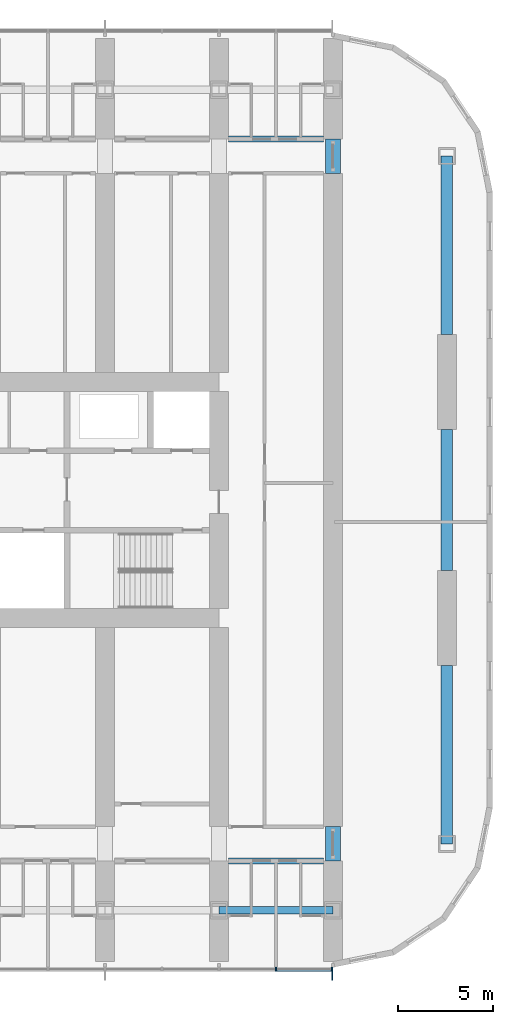
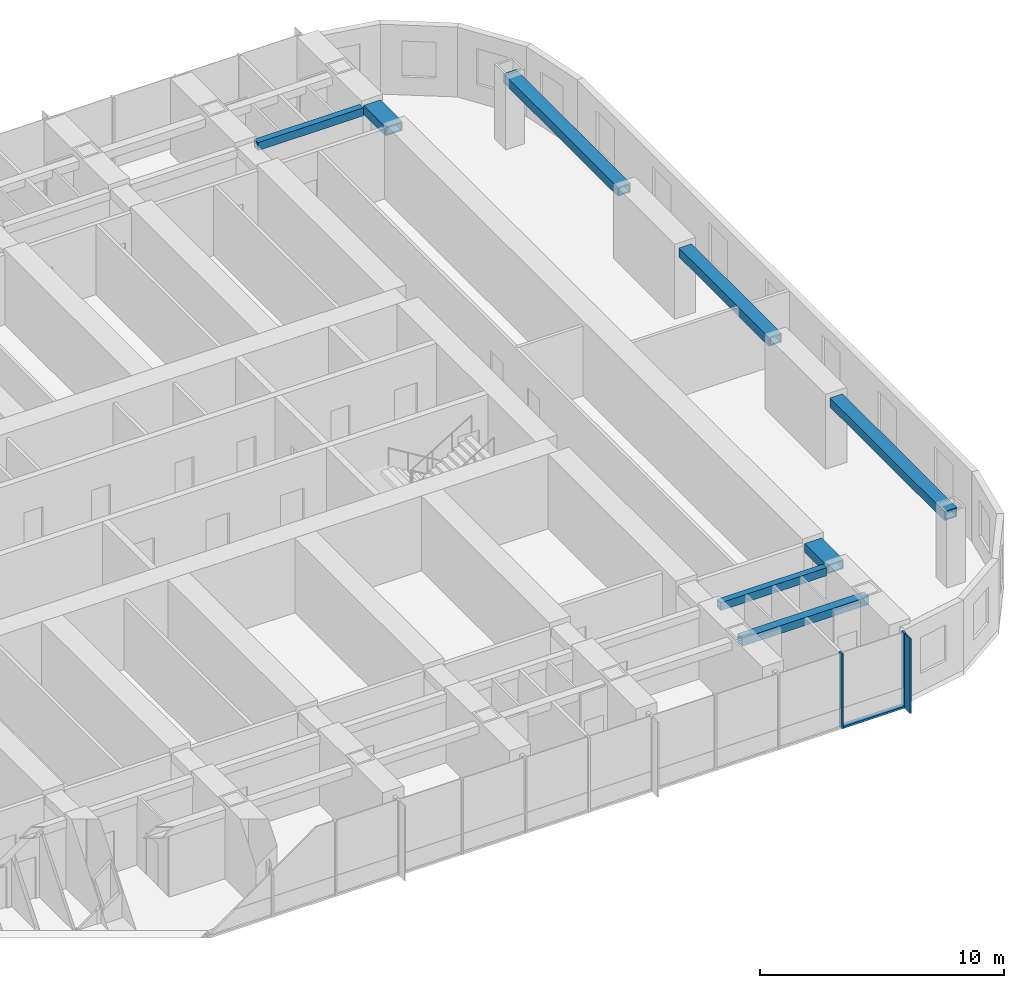
# One storey, part 6 of 23: 8 beams, 4 members, 1 element without a shape of its own.
"""IFC4 building model written with IfcOpenShell, lengths in metres."""

from ifc_helpers import new_model, si_unit, direction, frame, origin, origin_2d, place, context, subcontext, project, spatial, rectangle, hollow_rectangle, extrude, material, material_profile, profile_set, type_object, element, aggregate, save


model = new_model("IFC4")

# Units and contexts
model_context = context("Model", 3, precision=1e-05, world=origin(), true_north=direction((0.0, 1.0)))
body_context = subcontext(model_context, "Body", "Model", "MODEL_VIEW")
ifc_project = project(units=[si_unit("LENGTHUNIT", "METRE"), si_unit("AREAUNIT", "SQUARE_METRE"), si_unit("VOLUMEUNIT", "CUBIC_METRE"), si_unit("PLANEANGLEUNIT", "RADIAN"), si_unit("MASSUNIT", "GRAM", prefix="KILO")], contexts=[model_context])

# Site, building, storey
site_placement = place(None, origin())
site = spatial("IfcSite", under=ifc_project, at=site_placement, CompositionType="ELEMENT")
building_placement = place(site_placement, origin())
building = spatial("IfcBuilding", under=site, at=building_placement, Name="Orbita Commons", CompositionType="ELEMENT")
storey_placement = place(building_placement, frame((0.0, 0.0, 46.449951171875)))
storey = spatial("IfcBuildingStorey", under=building, at=storey_placement, Name="L11", CompositionType="ELEMENT", Elevation=46.449951171875)

# Curtain wall, members
ifc_material_1 = material(Name="Anodised aluminium frame, pale silver", Category="aluminium")
curtain_wall_type = type_object("IfcCurtainWallType", Name="Unitised curtain wall CW-T, vision and spandrel", PredefinedType="NOTDEFINED", material=ifc_material_1)
curtain_wall_placement = place(storey_placement, origin())
curtain_wall = element("IfcCurtainWall", 1, at=curtain_wall_placement, inside=storey, type_object=curtain_wall_type, Name="Curtain wall south L11", PredefinedType="NOTDEFINED")
ifc_material_2 = material(Name="Anodised aluminium, pale silver", Category="aluminium")
ifc_material_profile_1 = material_profile(ifc_material_2, rectangle(XDim=0.080078125, YDim=0.219970703125, at=origin_2d()), Name="AL 80x220")
ifc_profile_set_1 = profile_set([ifc_material_profile_1], Name="Anodised aluminium, pale silver")
member_type_1 = type_object("IfcMemberType", Name="Curtain wall mullion 80x220", PredefinedType="MULLION", material=ifc_profile_set_1)
member_1_placement = place(storey_placement, frame((69.0, 7.2900390625, -0.25), z_axis=(0.0, 0.0, 1.0), x_axis=(1.0, 0.0, 0.0)))
member_1 = element("IfcMember", 2, at=member_1_placement, type_object=member_type_1, Name="Mullion 20 CW-L11-S", PredefinedType="MULLION", context=body_context, shape_type="SweptSolid", body=[
    extrude(rectangle(XDim=0.080078125, YDim=0.219970703125, at=origin_2d()), origin(), (0.0, 0.0, 1.0), 3.75),
])
member_2_placement = place(storey_placement, frame((71.9599609375, 7.2900390625, -0.25), z_axis=(0.0, 0.0, 1.0), x_axis=(1.0, 0.0, 0.0)))
member_2 = element("IfcMember", 3, at=member_2_placement, type_object=member_type_1, Name="Mullion 21 CW-L11-S", PredefinedType="MULLION", context=body_context, shape_type="SweptSolid", body=[
    extrude(rectangle(XDim=0.080078125, YDim=0.219970703125, at=origin_2d()), origin(), (0.0, 0.0, 1.0), 3.75),
])
ifc_material_3 = material(Name="Anodised aluminium, pale silver", Category="aluminium")
ifc_material_profile_2 = material_profile(ifc_material_3, rectangle(XDim=0.219970703125, YDim=0.10009765625, at=origin_2d()), Name="AL 220x100")
ifc_profile_set_2 = profile_set([ifc_material_profile_2], Name="Anodised aluminium, pale silver")
member_type_2 = type_object("IfcMemberType", Name="Curtain wall stack transom 220x100", PredefinedType="USERDEFINED", material=ifc_profile_set_2)
member_3_placement = place(storey_placement, frame((69.0400390625, 7.2900390625, -0.199951171875), z_axis=(1.0, 0.0, 0.0), x_axis=(0.0, 1.0, 0.0)))
member_3 = element("IfcMember", 4, at=member_3_placement, type_object=member_type_2, Name="Transom 20.1 CW-L11-S", ObjectType="TRANSOM", PredefinedType="USERDEFINED", context=body_context, shape_type="SweptSolid", body=[
    extrude(rectangle(XDim=0.219970703125, YDim=0.10009765625, at=origin_2d()), origin(), (0.0, 0.0, 1.0), 2.8798828125),
])

# Beams
ifc_material_4 = material(Name="Steel ASTM A572 Gr 50 welded plate", Category="steel")
ifc_material_profile_3 = material_profile(ifc_material_4, hollow_rectangle(XDim=0.300048828125, YDim=0.39990234375, WallThickness=0.0400390625, at=origin_2d()), Name="BOX 400x300x40")
ifc_profile_set_3 = profile_set([ifc_material_profile_3], Name="Steel ASTM A572 Gr 50 welded plate")
beam_type_1 = type_object("IfcBeamType", Name="Steel corridor link BOX 400x300x40", PredefinedType="BEAM", material=ifc_profile_set_3)
for number, where, z_axis, x_axis, name in (
    (5, (66.5, 13.0, 3.300048828125), (1.0, 0.0, 0.0), (0.0, 1.0, 0.0), "Corridor beam SA 12-13 L11"),
    (6, (66.5, 51.0, 3.300048828125), (1.0, 0.0, 0.0), (0.0, 1.0, 0.0), "Corridor beam NB 12-13 L11"),
):
    element("IfcBeam", number, at=place(storey_placement, frame(where, z_axis=z_axis, x_axis=x_axis)), inside=storey, type_object=beam_type_1, Name=name, PredefinedType="BEAM", context=body_context, shape_type="SweptSolid", body=[
        extrude(hollow_rectangle(XDim=0.300048828125, YDim=0.39990234375, WallThickness=0.0400390625, at=origin_2d()), origin(), (0.0, 0.0, 1.0), 5.0),
    ])
ifc_material_5 = material(Name="Steel ASTM A572 Gr 50 welded plate", Category="steel")
ifc_material_profile_4 = material_profile(ifc_material_5, hollow_rectangle(XDim=0.800048828125, YDim=0.449951171875, WallThickness=0.06005859375, at=origin_2d()), Name="BOX 450x800x60")
ifc_profile_set_4 = profile_set([ifc_material_profile_4], Name="Steel ASTM A572 Gr 50 welded plate")
beam_type_2 = type_object("IfcBeamType", Name="Steel coupling link BOX 450x800x60", PredefinedType="LINTEL", material=ifc_profile_set_4)
for number, where, z_axis, x_axis, name in (
    (7, (72.0, 13.0, 3.275146484375), (0.0, 1.0, 0.0), (-1.0, 0.0, 0.0), "Coupling beam 13 south L11"),
    (8, (72.0, 49.199951171875, 3.275146484375), (0.0, 1.0, 0.0), (-1.0, 0.0, 0.0), "Coupling beam 13 north L11"),
):
    element("IfcBeam", number, at=place(storey_placement, frame(where, z_axis=z_axis, x_axis=x_axis)), inside=storey, type_object=beam_type_2, Name=name, PredefinedType="LINTEL", context=body_context, shape_type="SweptSolid", body=[
        extrude(hollow_rectangle(XDim=0.800048828125, YDim=0.449951171875, WallThickness=0.06005859375, at=origin_2d()), origin(), (0.0, 0.0, 1.0), 1.800048828125),
    ])
ifc_material_6 = material(Name="Steel ASTM A572 Gr 50 welded plate", Category="steel")
ifc_material_profile_5 = material_profile(ifc_material_6, hollow_rectangle(XDim=0.60009765625, YDim=0.449951171875, WallThickness=0.06005859375, at=origin_2d()), Name="BOX 450x600x60")
ifc_profile_set_5 = profile_set([ifc_material_profile_5], Name="Steel ASTM A572 Gr 50 welded plate")
beam_type_3 = type_object("IfcBeamType", Name="Steel end frame link BOX 450x600x60", PredefinedType="BEAM", material=ifc_profile_set_5)
beam_1_placement = place(storey_placement, frame((78.0, 13.89990234375, 3.275146484375), z_axis=(0.0, 1.0, 0.0), x_axis=(-1.0, 0.0, 0.0)))
element("IfcBeam", 9, at=beam_1_placement, inside=storey, type_object=beam_type_3, Name="End frame beam 14 B-C L11", PredefinedType="BEAM", context=body_context, shape_type="SweptSolid", body=[
    extrude(hollow_rectangle(XDim=0.60009765625, YDim=0.449951171875, WallThickness=0.06005859375, at=origin_2d()), origin(), (0.0, 0.0, 1.0), 9.400146484375),
])
beam_2_placement = place(storey_placement, frame((78.0, 28.300048828125, 3.275146484375), z_axis=(0.0, 1.0, 0.0), x_axis=(-1.0, 0.0, 0.0)))
element("IfcBeam", 10, at=beam_2_placement, inside=storey, type_object=beam_type_3, Name="End frame beam 14 C-D L11", PredefinedType="BEAM", context=body_context, shape_type="SweptSolid", body=[
    extrude(hollow_rectangle(XDim=0.60009765625, YDim=0.449951171875, WallThickness=0.06005859375, at=origin_2d()), origin(), (0.0, 0.0, 1.0), 7.39990234375),
])
beam_3_placement = place(storey_placement, frame((78.0, 40.699951171875, 3.275146484375), z_axis=(0.0, 1.0, 0.0), x_axis=(-1.0, 0.0, 0.0)))
element("IfcBeam", 11, at=beam_3_placement, inside=storey, type_object=beam_type_3, Name="End frame beam 14 D-E L11", PredefinedType="BEAM", context=body_context, shape_type="SweptSolid", body=[
    extrude(hollow_rectangle(XDim=0.60009765625, YDim=0.449951171875, WallThickness=0.06005859375, at=origin_2d()), origin(), (0.0, 0.0, 1.0), 9.400146484375),
])
ifc_material_7 = material(Name="Steel ASTM A572 Gr 50 welded plate", Category="steel")
ifc_material_profile_6 = material_profile(ifc_material_7, hollow_rectangle(XDim=0.39990234375, YDim=0.39990234375, WallThickness=0.0400390625, at=origin_2d()), Name="BOX 400x400x40")
ifc_profile_set_6 = profile_set([ifc_material_profile_6], Name="Steel ASTM A572 Gr 50 welded plate")
beam_type_4 = type_object("IfcBeamType", Name="Steel spandrel BOX 400x400x40", PredefinedType="SPANDREL", material=ifc_profile_set_6)
beam_4_placement = place(storey_placement, frame((66.0, 10.39990234375, 3.300048828125), z_axis=(1.0, 0.0, 0.0), x_axis=(0.0, 1.0, 0.0)))
element("IfcBeam", 12, at=beam_4_placement, inside=storey, type_object=beam_type_4, Name="Spandrel beam B 12-13 L11", PredefinedType="SPANDREL", context=body_context, shape_type="SweptSolid", body=[
    extrude(hollow_rectangle(XDim=0.39990234375, YDim=0.39990234375, WallThickness=0.0400390625, at=origin_2d()), origin(), (0.0, 0.0, 1.0), 6.0),
])

# Member
ifc_material_8 = material(Name="Anodised aluminium, pale silver", Category="aluminium")
ifc_material_profile_7 = material_profile(ifc_material_8, rectangle(XDim=0.06005859375, YDim=0.449951171875, at=origin_2d()), Name="FIN 60x450")
ifc_profile_set_7 = profile_set([ifc_material_profile_7], Name="Anodised aluminium, pale silver")
member_type_3 = type_object("IfcMemberType", Name="Vertical fin 60x450 pale aluminium", PredefinedType="USERDEFINED", material=ifc_profile_set_7)
member_4_placement = place(storey_placement, frame((71.9599609375, 6.955078125, -0.25), z_axis=(0.0, 0.0, 1.0), x_axis=(1.0, 0.0, 0.0)))
member_4 = element("IfcMember", 13, at=member_4_placement, type_object=member_type_3, Name="Fin 21 CW-L11-S", ObjectType="FIN", PredefinedType="USERDEFINED", context=body_context, shape_type="SweptSolid", body=[
    extrude(rectangle(XDim=0.06005859375, YDim=0.449951171875, at=origin_2d()), origin(), (0.0, 0.0, 1.0), 3.75),
])

aggregate(curtain_wall, [member_1, member_2, member_4, member_3])

save(model, "model.ifc")
